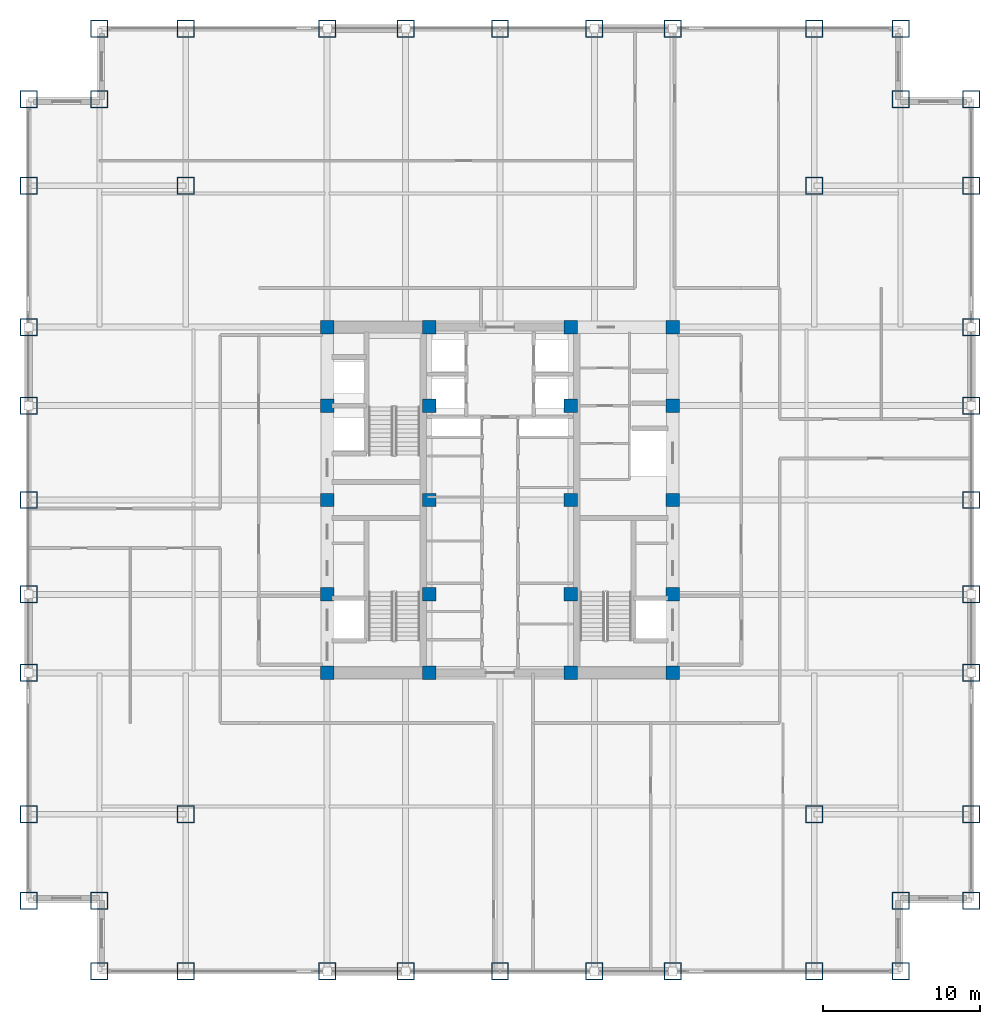
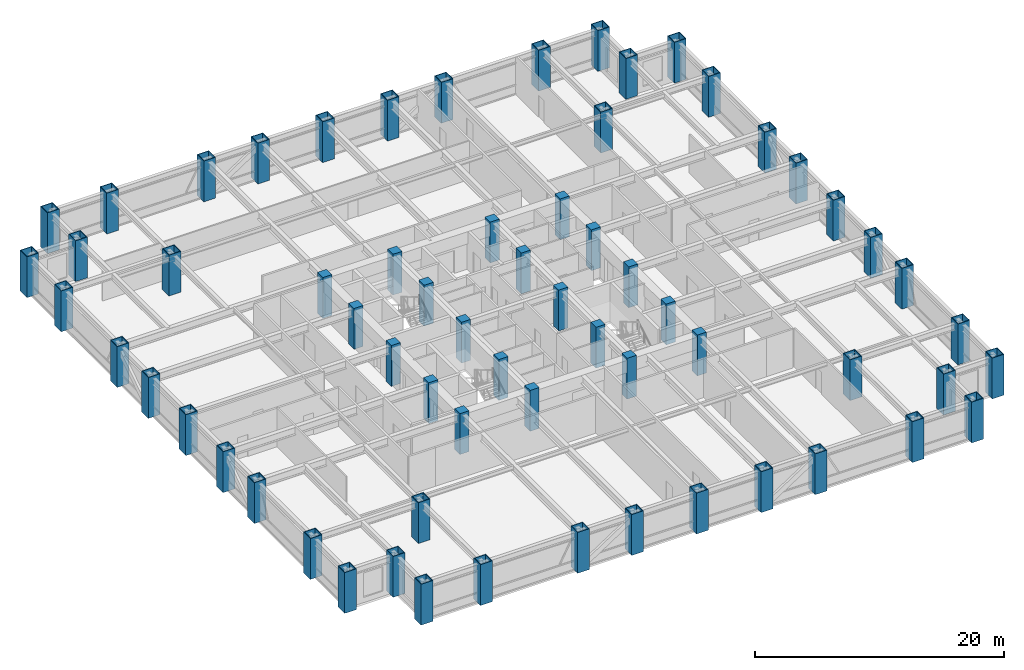
# One storey, part 1 of 25: 64 columns.
"""IFC4 building model written with IfcOpenShell, lengths in metres."""

from ifc_helpers import new_model, si_unit, direction, frame, origin, origin_2d, place, context, subcontext, project, spatial, rectangle, hollow_rectangle, extrude, source, transform, mapped, material, material_profile, profile_set, type_object, element, save


model = new_model("IFC4")

# Units and contexts
model_context = context("Model", 3, precision=1e-05, world=origin(), true_north=direction((0.0, 1.0)))
body_context = subcontext(model_context, "Body", "Model", "MODEL_VIEW")
ifc_project = project(units=[si_unit("LENGTHUNIT", "METRE"), si_unit("AREAUNIT", "SQUARE_METRE"), si_unit("VOLUMEUNIT", "CUBIC_METRE"), si_unit("PLANEANGLEUNIT", "RADIAN"), si_unit("MASSUNIT", "GRAM", prefix="KILO")], contexts=[model_context])

# Site, building, storey
site_placement = place(None, origin())
site = spatial("IfcSite", under=ifc_project, at=site_placement, CompositionType="ELEMENT")
building_placement = place(site_placement, origin())
building = spatial("IfcBuilding", under=site, at=building_placement, Name="Khorayat Bourse Tower", CompositionType="ELEMENT")
storey_placement = place(building_placement, frame((0.0, 0.0, 199.10009765625)))
storey = spatial("IfcBuildingStorey", under=building, at=storey_placement, Name="L46", CompositionType="ELEMENT", Elevation=199.10009765625)

# Columns
ifc_material_1 = material(Name="Steel EN 10025-4 S460M", Category="steel")
ifc_material_profile_1 = material_profile(ifc_material_1, hollow_rectangle(XDim=1.10009765625, YDim=1.10009765625, WallThickness=0.06005859375, at=origin_2d()), Name="BOX 1100x1100x60")
ifc_profile_set_1 = profile_set([ifc_material_profile_1], Name="Steel EN 10025-4 S460M")
column_type_1 = type_object("IfcColumnType", Name="COL-TUBE-1100", PredefinedType="COLUMN", material=ifc_profile_set_1)
shared_shape_1 = source(origin(), body_context, "Body", "SweptSolid", [
    extrude(hollow_rectangle(XDim=1.10009765625, YDim=1.10009765625, WallThickness=0.06005859375, at=origin_2d()), origin(), (0.0, 0.0, 1.0), 4.0),
])
for number, where, z_axis, x_axis, name in (
    (1, (-30.0, -25.5, 0.0), (0.0, 0.0, 1.0), (1.0, 0.0, 0.0), "L46 Column 001"),
    (2, (-30.0, -20.0, 0.0), (0.0, 0.0, 1.0), (1.0, 0.0, 0.0), "L46 Column 002"),
    (3, (-30.0, -11.0, 0.0), (0.0, 0.0, 1.0), (1.0, 0.0, 0.0), "L46 Column 003"),
    (4, (-30.0, -6.0, 0.0), (0.0, 0.0, 1.0), (1.0, 0.0, 0.0), "L46 Column 004"),
    (5, (-30.0, 0.0, 0.0), (0.0, 0.0, 1.0), (1.0, 0.0, 0.0), "L46 Column 005"),
    (6, (-30.0, 6.0, 0.0), (0.0, 0.0, 1.0), (1.0, 0.0, 0.0), "L46 Column 006"),
    (7, (-30.0, 11.0, 0.0), (0.0, 0.0, 1.0), (1.0, 0.0, 0.0), "L46 Column 007"),
    (8, (-30.0, 20.0, 0.0), (0.0, 0.0, 1.0), (1.0, 0.0, 0.0), "L46 Column 008"),
    (9, (-30.0, 25.5, 0.0), (0.0, 0.0, 1.0), (1.0, 0.0, 0.0), "L46 Column 009"),
    (10, (-25.5, -30.0, 0.0), (0.0, 0.0, 1.0), (1.0, 0.0, 0.0), "L46 Column 010"),
    (11, (-25.5, -25.5, 0.0), (0.0, 0.0, 1.0), (1.0, 0.0, 0.0), "L46 Column 011"),
    (12, (-25.5, 25.5, 0.0), (0.0, 0.0, 1.0), (1.0, 0.0, 0.0), "L46 Column 012"),
    (13, (-25.5, 30.0, 0.0), (0.0, 0.0, 1.0), (1.0, 0.0, 0.0), "L46 Column 013"),
    (14, (-20.0, -30.0, 0.0), (0.0, 0.0, 1.0), (1.0, 0.0, 0.0), "L46 Column 014"),
    (15, (-20.0, -20.0, 0.0), (0.0, 0.0, 1.0), (1.0, 0.0, 0.0), "L46 Column 015"),
    (16, (-20.0, 20.0, 0.0), (0.0, 0.0, 1.0), (1.0, 0.0, 0.0), "L46 Column 016"),
    (17, (-20.0, 30.0, 0.0), (0.0, 0.0, 1.0), (1.0, 0.0, 0.0), "L46 Column 017"),
    (18, (-11.0, -30.0, 0.0), (0.0, 0.0, 1.0), (1.0, 0.0, 0.0), "L46 Column 018"),
    (19, (-11.0, 30.0, 0.0), (0.0, 0.0, 1.0), (1.0, 0.0, 0.0), "L46 Column 024"),
    (20, (-6.0, -30.0, 0.0), (0.0, 0.0, 1.0), (1.0, 0.0, 0.0), "L46 Column 025"),
    (21, (-6.0, 30.0, 0.0), (0.0, 0.0, 1.0), (1.0, 0.0, 0.0), "L46 Column 026"),
    (22, (0.0, -30.0, 0.0), (0.0, 0.0, 1.0), (1.0, 0.0, 0.0), "L46 Column 032"),
    (23, (0.0, 30.0, 0.0), (0.0, 0.0, 1.0), (1.0, 0.0, 0.0), "L46 Column 033"),
    (24, (6.0, -30.0, 0.0), (0.0, 0.0, 1.0), (1.0, 0.0, 0.0), "L46 Column 039"),
    (25, (6.0, 30.0, 0.0), (0.0, 0.0, 1.0), (1.0, 0.0, 0.0), "L46 Column 040"),
    (26, (11.0, -30.0, 0.0), (0.0, 0.0, 1.0), (1.0, 0.0, 0.0), "L46 Column 041"),
    (27, (11.0, 30.0, 0.0), (0.0, 0.0, 1.0), (1.0, 0.0, 0.0), "L46 Column 047"),
    (28, (20.0, -30.0, 0.0), (0.0, 0.0, 1.0), (1.0, 0.0, 0.0), "L46 Column 048"),
    (29, (20.0, -20.0, 0.0), (0.0, 0.0, 1.0), (1.0, 0.0, 0.0), "L46 Column 049"),
    (30, (20.0, 20.0, 0.0), (0.0, 0.0, 1.0), (1.0, 0.0, 0.0), "L46 Column 050"),
    (31, (20.0, 30.0, 0.0), (0.0, 0.0, 1.0), (1.0, 0.0, 0.0), "L46 Column 051"),
    (32, (25.5, -30.0, 0.0), (0.0, 0.0, 1.0), (1.0, 0.0, 0.0), "L46 Column 052"),
    (33, (25.5, -25.5, 0.0), (0.0, 0.0, 1.0), (1.0, 0.0, 0.0), "L46 Column 053"),
    (34, (25.5, 25.5, 0.0), (0.0, 0.0, 1.0), (1.0, 0.0, 0.0), "L46 Column 054"),
    (35, (25.5, 30.0, 0.0), (0.0, 0.0, 1.0), (1.0, 0.0, 0.0), "L46 Column 055"),
    (36, (30.0, -25.5, 0.0), (0.0, 0.0, 1.0), (1.0, 0.0, 0.0), "L46 Column 056"),
    (37, (30.0, -20.0, 0.0), (0.0, 0.0, 1.0), (1.0, 0.0, 0.0), "L46 Column 057"),
    (38, (30.0, -11.0, 0.0), (0.0, 0.0, 1.0), (1.0, 0.0, 0.0), "L46 Column 058"),
    (39, (30.0, -6.0, 0.0), (0.0, 0.0, 1.0), (1.0, 0.0, 0.0), "L46 Column 059"),
    (40, (30.0, 0.0, 0.0), (0.0, 0.0, 1.0), (1.0, 0.0, 0.0), "L46 Column 060"),
    (41, (30.0, 6.0, 0.0), (0.0, 0.0, 1.0), (1.0, 0.0, 0.0), "L46 Column 061"),
    (42, (30.0, 11.0, 0.0), (0.0, 0.0, 1.0), (1.0, 0.0, 0.0), "L46 Column 062"),
    (43, (30.0, 20.0, 0.0), (0.0, 0.0, 1.0), (1.0, 0.0, 0.0), "L46 Column 063"),
    (44, (30.0, 25.5, 0.0), (0.0, 0.0, 1.0), (1.0, 0.0, 0.0), "L46 Column 064"),
):
    element("IfcColumn", number, at=place(storey_placement, frame(where, z_axis=z_axis, x_axis=x_axis)), inside=storey, type_object=column_type_1, Name=name, PredefinedType="COLUMN", context=body_context, shape_type="MappedRepresentation", body=[
        mapped(shared_shape_1, transform((0.0, 0.0, 0.0), scale=1.0)),
    ])
ifc_material_2 = material(Name="Concrete C60/75", Category="concrete")
ifc_material_profile_2 = material_profile(ifc_material_2, rectangle(XDim=0.85009765625, YDim=0.85009765625, at=origin_2d()), Name="RC 850x850")
ifc_profile_set_2 = profile_set([ifc_material_profile_2], Name="Concrete C60/75")
column_type_2 = type_object("IfcColumnType", Name="COL-CORE-850", PredefinedType="COLUMN", material=ifc_profile_set_2)
shared_shape_2 = source(origin(), body_context, "Body", "SweptSolid", [
    extrude(rectangle(XDim=0.85009765625, YDim=0.85009765625, at=origin_2d()), origin(), (0.0, 0.0, 1.0), 4.0),
])
for number, where, z_axis, x_axis, name in (
    (45, (-11.0, -11.0, 0.0), (0.0, 0.0, 1.0), (1.0, 0.0, 0.0), "L46 Column 019"),
    (46, (-11.0, -6.0, 0.0), (0.0, 0.0, 1.0), (1.0, 0.0, 0.0), "L46 Column 020"),
    (47, (-11.0, 0.0, 0.0), (0.0, 0.0, 1.0), (1.0, 0.0, 0.0), "L46 Column 021"),
    (48, (-11.0, 6.0, 0.0), (0.0, 0.0, 1.0), (1.0, 0.0, 0.0), "L46 Column 022"),
    (49, (-11.0, 11.0, 0.0), (0.0, 0.0, 1.0), (1.0, 0.0, 0.0), "L46 Column 023"),
    (50, (-4.5, -11.0, 0.0), (0.0, 0.0, 1.0), (1.0, 0.0, 0.0), "L46 Column 027"),
    (51, (-4.5, -6.0, 0.0), (0.0, 0.0, 1.0), (1.0, 0.0, 0.0), "L46 Column 028"),
    (52, (-4.5, 0.0, 0.0), (0.0, 0.0, 1.0), (1.0, 0.0, 0.0), "L46 Column 029"),
    (53, (-4.5, 6.0, 0.0), (0.0, 0.0, 1.0), (1.0, 0.0, 0.0), "L46 Column 030"),
    (54, (-4.5, 11.0, 0.0), (0.0, 0.0, 1.0), (1.0, 0.0, 0.0), "L46 Column 031"),
    (55, (4.5, -11.0, 0.0), (0.0, 0.0, 1.0), (1.0, 0.0, 0.0), "L46 Column 034"),
    (56, (4.5, -6.0, 0.0), (0.0, 0.0, 1.0), (1.0, 0.0, 0.0), "L46 Column 035"),
    (57, (4.5, 0.0, 0.0), (0.0, 0.0, 1.0), (1.0, 0.0, 0.0), "L46 Column 036"),
    (58, (4.5, 6.0, 0.0), (0.0, 0.0, 1.0), (1.0, 0.0, 0.0), "L46 Column 037"),
    (59, (4.5, 11.0, 0.0), (0.0, 0.0, 1.0), (1.0, 0.0, 0.0), "L46 Column 038"),
    (60, (11.0, -11.0, 0.0), (0.0, 0.0, 1.0), (1.0, 0.0, 0.0), "L46 Column 042"),
    (61, (11.0, -6.0, 0.0), (0.0, 0.0, 1.0), (1.0, 0.0, 0.0), "L46 Column 043"),
    (62, (11.0, 0.0, 0.0), (0.0, 0.0, 1.0), (1.0, 0.0, 0.0), "L46 Column 044"),
    (63, (11.0, 6.0, 0.0), (0.0, 0.0, 1.0), (1.0, 0.0, 0.0), "L46 Column 045"),
    (64, (11.0, 11.0, 0.0), (0.0, 0.0, 1.0), (1.0, 0.0, 0.0), "L46 Column 046"),
):
    element("IfcColumn", number, at=place(storey_placement, frame(where, z_axis=z_axis, x_axis=x_axis)), inside=storey, type_object=column_type_2, Name=name, PredefinedType="COLUMN", context=body_context, shape_type="MappedRepresentation", body=[
        mapped(shared_shape_2, transform((0.0, 0.0, 0.0), scale=1.0)),
    ])

save(model, "model.ifc")
